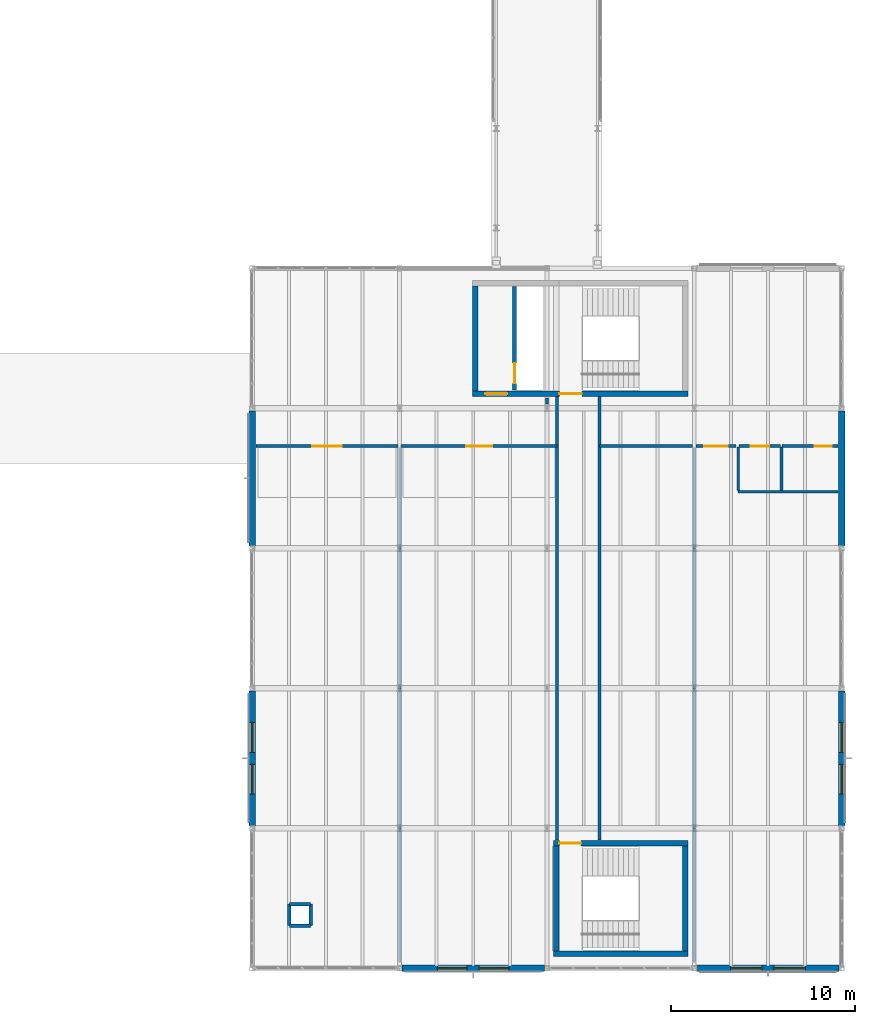
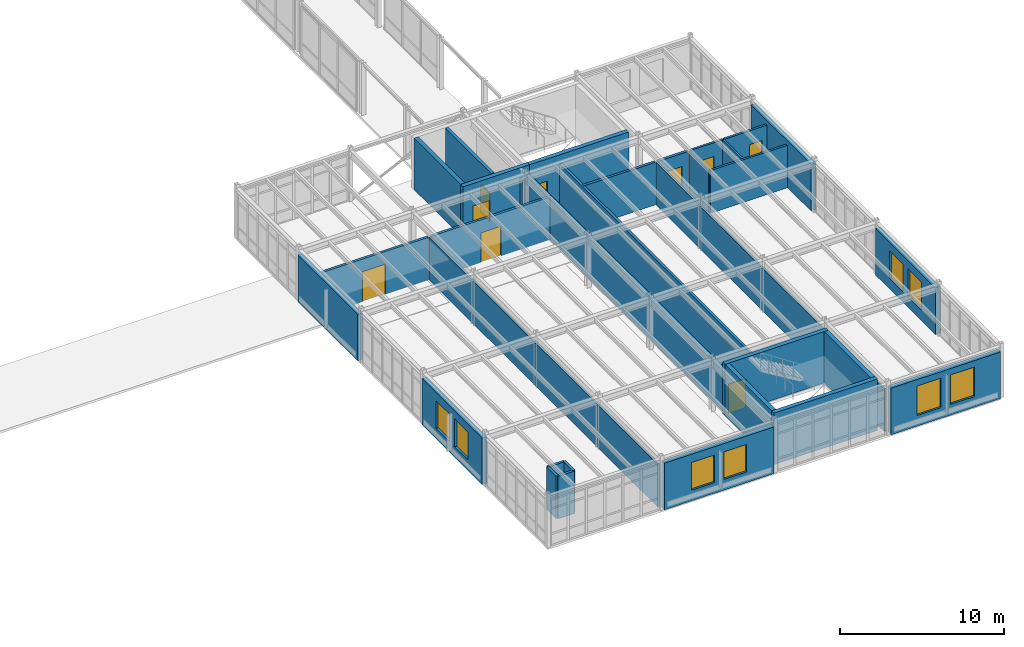
# One storey, part 166 of 189: 32 walls, 9 doors, 8 windows, 17 openings.
"""IFC4 building model written with IfcOpenShell, lengths in metres."""

from ifc_helpers import new_model, si_unit, direction, frame, frame_2d, origin, place, context, subcontext, project, spatial, rectangle, extrude, material, layer, layer_set, type_object, element, fill, save


model = new_model("IFC4")

# Units and contexts
model_context = context("Model", 3, precision=1e-05, world=origin(), true_north=direction((0.0, 1.0)))
body_context = subcontext(model_context, "Body", "Model", "MODEL_VIEW")
ifc_project = project(units=[si_unit("LENGTHUNIT", "METRE"), si_unit("AREAUNIT", "SQUARE_METRE"), si_unit("VOLUMEUNIT", "CUBIC_METRE"), si_unit("PLANEANGLEUNIT", "RADIAN"), si_unit("MASSUNIT", "GRAM", prefix="KILO")], contexts=[model_context])

# Site, building, storey
site_placement = place(None, origin())
site = spatial("IfcSite", under=ifc_project, at=site_placement, CompositionType="ELEMENT")
building_placement = place(site_placement, origin())
building = spatial("IfcBuilding", under=site, at=building_placement, Name="Montecoro Central Library", CompositionType="ELEMENT")
storey_placement = place(building_placement, frame((0.0, 0.0, 9.179931640625)))
storey = spatial("IfcBuildingStorey", under=building, at=storey_placement, Name="L02", CompositionType="ELEMENT", Elevation=9.179931640625)

# Wall, openings, windows
ifc_material_1 = material(Name="Roman travertine stone clad concrete C35/45", Category="masonry")
ifc_layer_1 = layer(ifc_material_1, 0.344970703125)
ifc_layer_set_1 = layer_set([ifc_layer_1], Name="Roman travertine stone clad concrete C35/45")
wall_type_1 = type_object("IfcWallType", Name="EW-TRV-345", PredefinedType="SOLIDWALL", material=ifc_layer_set_1)
wall_1_placement = place(storey_placement, frame((149.133056640625, 5.0, 0.0), z_axis=(0.0, 0.0, 1.0), x_axis=(1.0, 0.0, 0.0)))
wall_1 = element("IfcWall", 1, at=wall_1_placement, inside=storey, type_object=wall_type_1, Name="V6-L02-EW-S1", PredefinedType="SOLIDWALL", context=body_context, shape_type="SweptSolid", body=[
    extrude(rectangle(XDim=7.73388671875, YDim=0.344970703125, at=frame_2d((3.866943359375, 0.0))), origin(), (0.0, 0.0, 1.0), 3.47998046875),
])
opening_1_placement = place(wall_1_placement, frame((1.922119140625, 0.0, 0.800048828125)))
opening_1 = element("IfcOpeningElement", 2, at=opening_1_placement, cuts=wall_1, Name="Opening WN-27", PredefinedType="OPENING", context=body_context, shape_type="SweptSolid", body=[
    extrude(rectangle(XDim=1.6201171875, YDim=2.06005859375, at=frame_2d((0.81005859375, 1.030029296875))), frame((0.0, 0.182373046875, 0.0), z_axis=(0.0, -1.0, 0.0), x_axis=(1.0, 0.0, 0.0)), (0.0, 0.0, 1.0), 0.364990234375),
])
opening_2_placement = place(wall_1_placement, frame((4.19189453125, 0.0, 0.800048828125)))
opening_2 = element("IfcOpeningElement", 3, at=opening_2_placement, cuts=wall_1, Name="Opening WN-27", PredefinedType="OPENING", context=body_context, shape_type="SweptSolid", body=[
    extrude(rectangle(XDim=1.6201171875, YDim=2.06005859375, at=frame_2d((0.81005859375, 1.030029296875))), frame((0.0, 0.182373046875, 0.0), z_axis=(0.0, -1.0, 0.0), x_axis=(1.0, 0.0, 0.0)), (0.0, 0.0, 1.0), 0.364990234375),
])
ifc_material_2 = material(Name="Laminated low-E double glazing", Category="glass")
window_type_1 = type_object("IfcWindowType", Name="WN-COM-162", PartitioningType="SINGLE_PANEL", PredefinedType="WINDOW", material=ifc_material_2)
window_1_placement = place(opening_1_placement, origin())
window_1 = element("IfcWindow", 4, at=window_1_placement, inside=storey, type_object=window_type_1, Name="V6-L02-WN-S1-1", OverallHeight=2.06005859375, OverallWidth=1.6201171875, PartitioningType="SINGLE_PANEL", PredefinedType="WINDOW", context=body_context, shape_type="SweptSolid", body=[
    extrude(rectangle(XDim=1.6201171875, YDim=2.06005859375, at=frame_2d((0.81005859375, 1.030029296875))), frame((0.0, 0.030029296875, 0.0), z_axis=(0.0, -1.0, 0.0), x_axis=(1.0, 0.0, 0.0)), (0.0, 0.0, 1.0), 0.06005859375),
])
fill(opening_1, window_1)
window_2_placement = place(opening_2_placement, origin())
window_2 = element("IfcWindow", 5, at=window_2_placement, inside=storey, type_object=window_type_1, Name="V6-L02-WN-S1-2", OverallHeight=2.06005859375, OverallWidth=1.6201171875, PartitioningType="SINGLE_PANEL", PredefinedType="WINDOW", context=body_context, shape_type="SweptSolid", body=[
    extrude(rectangle(XDim=1.6201171875, YDim=2.06005859375, at=frame_2d((0.81005859375, 1.030029296875))), frame((0.0, 0.030029296875, 0.0), z_axis=(0.0, -1.0, 0.0), x_axis=(1.0, 0.0, 0.0)), (0.0, 0.0, 1.0), 0.06005859375),
])
fill(opening_2, window_2)

wall_2_placement = place(storey_placement, frame((165.133056640625, 5.0, 0.0), z_axis=(0.0, 0.0, 1.0), x_axis=(1.0, 0.0, 0.0)))
wall_2 = element("IfcWall", 6, at=wall_2_placement, inside=storey, type_object=wall_type_1, Name="V6-L02-EW-S3", PredefinedType="SOLIDWALL", context=body_context, shape_type="SweptSolid", body=[
    extrude(rectangle(XDim=7.73388671875, YDim=0.344970703125, at=frame_2d((3.866943359375, 0.0))), origin(), (0.0, 0.0, 1.0), 3.47998046875),
])
opening_3_placement = place(wall_2_placement, frame((1.842041015625, 0.0, 0.800048828125)))
opening_3 = element("IfcOpeningElement", 7, at=opening_3_placement, cuts=wall_2, Name="Opening WN-17", PredefinedType="OPENING", context=body_context, shape_type="SweptSolid", body=[
    extrude(rectangle(XDim=1.699951171875, YDim=2.199951171875, at=frame_2d((0.85009765625, 1.10009765625))), frame((0.0, 0.182373046875, 0.0), z_axis=(0.0, -1.0, 0.0), x_axis=(1.0, 0.0, 0.0)), (0.0, 0.0, 1.0), 0.364990234375),
])
opening_4_placement = place(wall_2_placement, frame((4.19189453125, 0.0, 0.800048828125)))
opening_4 = element("IfcOpeningElement", 8, at=opening_4_placement, cuts=wall_2, Name="Opening WN-17", PredefinedType="OPENING", context=body_context, shape_type="SweptSolid", body=[
    extrude(rectangle(XDim=1.699951171875, YDim=2.199951171875, at=frame_2d((0.85009765625, 1.10009765625))), frame((0.0, 0.182373046875, 0.0), z_axis=(0.0, -1.0, 0.0), x_axis=(1.0, 0.0, 0.0)), (0.0, 0.0, 1.0), 0.364990234375),
])
window_type_2 = type_object("IfcWindowType", Name="WN-COM-170", PartitioningType="SINGLE_PANEL", PredefinedType="WINDOW", material=ifc_material_2)
window_3_placement = place(opening_3_placement, origin())
window_3 = element("IfcWindow", 9, at=window_3_placement, inside=storey, type_object=window_type_2, Name="V6-L02-WN-S3-1", OverallHeight=2.199951171875, OverallWidth=1.699951171875, PartitioningType="SINGLE_PANEL", PredefinedType="WINDOW", context=body_context, shape_type="SweptSolid", body=[
    extrude(rectangle(XDim=1.699951171875, YDim=2.199951171875, at=frame_2d((0.85009765625, 1.10009765625))), frame((0.0, 0.030029296875, 0.0), z_axis=(0.0, -1.0, 0.0), x_axis=(1.0, 0.0, 0.0)), (0.0, 0.0, 1.0), 0.06005859375),
])
fill(opening_3, window_3)
window_4_placement = place(opening_4_placement, origin())
window_4 = element("IfcWindow", 10, at=window_4_placement, inside=storey, type_object=window_type_2, Name="V6-L02-WN-S3-2", OverallHeight=2.199951171875, OverallWidth=1.699951171875, PartitioningType="SINGLE_PANEL", PredefinedType="WINDOW", context=body_context, shape_type="SweptSolid", body=[
    extrude(rectangle(XDim=1.699951171875, YDim=2.199951171875, at=frame_2d((0.85009765625, 1.10009765625))), frame((0.0, 0.030029296875, 0.0), z_axis=(0.0, -1.0, 0.0), x_axis=(1.0, 0.0, 0.0)), (0.0, 0.0, 1.0), 0.06005859375),
])
fill(opening_4, window_4)

wall_3_placement = place(storey_placement, frame((173.0, 12.73291015625, 0.0), z_axis=(0.0, 0.0, 1.0), x_axis=(0.0, 1.0, 0.0)))
wall_3 = element("IfcWall", 11, at=wall_3_placement, inside=storey, type_object=wall_type_1, Name="V6-L02-EW-E1", PredefinedType="SOLIDWALL", context=body_context, shape_type="SweptSolid", body=[
    extrude(rectangle(XDim=7.333984375, YDim=0.344970703125, at=frame_2d((3.6669921875, 0.0))), origin(), (0.0, 0.0, 1.0), 3.47998046875),
])
opening_5_placement = place(wall_3_placement, frame((1.721923828125, 0.0, 0.800048828125)))
opening_5 = element("IfcOpeningElement", 12, at=opening_5_placement, cuts=wall_3, Name="Opening WN-27", PredefinedType="OPENING", context=body_context, shape_type="SweptSolid", body=[
    extrude(rectangle(XDim=1.6201171875, YDim=2.06005859375, at=frame_2d((0.81005859375, 1.030029296875))), frame((0.0, 0.182373046875, 0.0), z_axis=(0.0, -1.0, 0.0), x_axis=(1.0, 0.0, 0.0)), (0.0, 0.0, 1.0), 0.364990234375),
])
opening_6_placement = place(wall_3_placement, frame((3.991943359375, 0.0, 0.800048828125)))
opening_6 = element("IfcOpeningElement", 13, at=opening_6_placement, cuts=wall_3, Name="Opening WN-27", PredefinedType="OPENING", context=body_context, shape_type="SweptSolid", body=[
    extrude(rectangle(XDim=1.6201171875, YDim=2.06005859375, at=frame_2d((0.81005859375, 1.030029296875))), frame((0.0, 0.182373046875, 0.0), z_axis=(0.0, -1.0, 0.0), x_axis=(1.0, 0.0, 0.0)), (0.0, 0.0, 1.0), 0.364990234375),
])
window_5_placement = place(opening_5_placement, origin())
window_5 = element("IfcWindow", 14, at=window_5_placement, inside=storey, type_object=window_type_1, Name="V6-L02-WN-E1-1", OverallHeight=2.06005859375, OverallWidth=1.6201171875, PartitioningType="SINGLE_PANEL", PredefinedType="WINDOW", context=body_context, shape_type="SweptSolid", body=[
    extrude(rectangle(XDim=1.6201171875, YDim=2.06005859375, at=frame_2d((0.81005859375, 1.030029296875))), frame((0.0, 0.030029296875, 0.0), z_axis=(0.0, -1.0, 0.0), x_axis=(1.0, 0.0, 0.0)), (0.0, 0.0, 1.0), 0.06005859375),
])
fill(opening_5, window_5)
window_6_placement = place(opening_6_placement, origin())
window_6 = element("IfcWindow", 15, at=window_6_placement, inside=storey, type_object=window_type_1, Name="V6-L02-WN-E1-2", OverallHeight=2.06005859375, OverallWidth=1.6201171875, PartitioningType="SINGLE_PANEL", PredefinedType="WINDOW", context=body_context, shape_type="SweptSolid", body=[
    extrude(rectangle(XDim=1.6201171875, YDim=2.06005859375, at=frame_2d((0.81005859375, 1.030029296875))), frame((0.0, 0.030029296875, 0.0), z_axis=(0.0, -1.0, 0.0), x_axis=(1.0, 0.0, 0.0)), (0.0, 0.0, 1.0), 0.06005859375),
])
fill(opening_6, window_6)

# Walls
for number, where, z_axis, x_axis, name in (
    (16, (173.0, 27.93310546875, 0.0), (0.0, 0.0, 1.0), (0.0, 1.0, 0.0), "V6-L02-EW-E3"),
    (17, (141.0, 35.26708984375, 0.0), (0.0, 0.0, 1.0), (0.0, -1.0, 0.0), "V6-L02-EW-W3"),
):
    element("IfcWall", number, at=place(storey_placement, frame(where, z_axis=z_axis, x_axis=x_axis)), inside=storey, type_object=wall_type_1, Name=name, PredefinedType="SOLIDWALL", context=body_context, shape_type="SweptSolid", body=[
        extrude(rectangle(XDim=7.333984375, YDim=0.344970703125, at=frame_2d((3.6669921875, 0.0))), origin(), (0.0, 0.0, 1.0), 3.47998046875),
    ])

# Wall, openings, windows
wall_4_placement = place(storey_placement, frame((141.0, 20.06689453125, 0.0), z_axis=(0.0, 0.0, 1.0), x_axis=(0.0, -1.0, 0.0)))
wall_4 = element("IfcWall", 18, at=wall_4_placement, inside=storey, type_object=wall_type_1, Name="V6-L02-EW-W1", PredefinedType="SOLIDWALL", context=body_context, shape_type="SweptSolid", body=[
    extrude(rectangle(XDim=7.333984375, YDim=0.344970703125, at=frame_2d((3.6669921875, 0.0))), origin(), (0.0, 0.0, 1.0), 3.47998046875),
])
opening_7_placement = place(wall_4_placement, frame((1.721923828125, 0.0, 0.800048828125)))
opening_7 = element("IfcOpeningElement", 19, at=opening_7_placement, cuts=wall_4, Name="Opening WN-27", PredefinedType="OPENING", context=body_context, shape_type="SweptSolid", body=[
    extrude(rectangle(XDim=1.6201171875, YDim=2.06005859375, at=frame_2d((0.81005859375, 1.030029296875))), frame((0.0, 0.182373046875, 0.0), z_axis=(0.0, -1.0, 0.0), x_axis=(1.0, 0.0, 0.0)), (0.0, 0.0, 1.0), 0.364990234375),
])
opening_8_placement = place(wall_4_placement, frame((3.991943359375, 0.0, 0.800048828125)))
opening_8 = element("IfcOpeningElement", 20, at=opening_8_placement, cuts=wall_4, Name="Opening WN-27", PredefinedType="OPENING", context=body_context, shape_type="SweptSolid", body=[
    extrude(rectangle(XDim=1.6201171875, YDim=2.06005859375, at=frame_2d((0.81005859375, 1.030029296875))), frame((0.0, 0.182373046875, 0.0), z_axis=(0.0, -1.0, 0.0), x_axis=(1.0, 0.0, 0.0)), (0.0, 0.0, 1.0), 0.364990234375),
])
window_7_placement = place(opening_7_placement, origin())
window_7 = element("IfcWindow", 21, at=window_7_placement, inside=storey, type_object=window_type_1, Name="V6-L02-WN-W1-1", OverallHeight=2.06005859375, OverallWidth=1.6201171875, PartitioningType="SINGLE_PANEL", PredefinedType="WINDOW", context=body_context, shape_type="SweptSolid", body=[
    extrude(rectangle(XDim=1.6201171875, YDim=2.06005859375, at=frame_2d((0.81005859375, 1.030029296875))), frame((0.0, 0.030029296875, 0.0), z_axis=(0.0, -1.0, 0.0), x_axis=(1.0, 0.0, 0.0)), (0.0, 0.0, 1.0), 0.06005859375),
])
fill(opening_7, window_7)
window_8_placement = place(opening_8_placement, origin())
window_8 = element("IfcWindow", 22, at=window_8_placement, inside=storey, type_object=window_type_1, Name="V6-L02-WN-W1-2", OverallHeight=2.06005859375, OverallWidth=1.6201171875, PartitioningType="SINGLE_PANEL", PredefinedType="WINDOW", context=body_context, shape_type="SweptSolid", body=[
    extrude(rectangle(XDim=1.6201171875, YDim=2.06005859375, at=frame_2d((0.81005859375, 1.030029296875))), frame((0.0, 0.030029296875, 0.0), z_axis=(0.0, -1.0, 0.0), x_axis=(1.0, 0.0, 0.0)), (0.0, 0.0, 1.0), 0.06005859375),
])
fill(opening_8, window_8)

# Walls
ifc_material_3 = material(Name="Gypsum fire-rated partition")
ifc_layer_2 = layer(ifc_material_3, 0.179931640625)
ifc_layer_set_2 = layer_set([ifc_layer_2], Name="Gypsum fire-rated partition")
wall_type_2 = type_object("IfcWallType", Name="IW-COR-180", PredefinedType="PARTITIONING", material=ifc_layer_set_2)
for number, where, z_axis, x_axis, name in (
    (23, (143.02001953125, 7.320068359375, 0.0), (0.0, 0.0, 1.0), (1.0, 0.0, 0.0), "RSR-V6-L02-SL1-S"),
    (24, (144.179931640625, 8.47998046875, 0.0), (0.0, 0.0, 1.0), (-1.0, 0.0, 0.0), "RSR-V6-L02-SL1-N"),
    (25, (143.02001953125, 8.47998046875, 0.0), (0.0, 0.0, 1.0), (0.0, -1.0, 0.0), "RSR-V6-L02-SL1-W"),
    (26, (144.179931640625, 7.320068359375, 0.0), (0.0, 0.0, 1.0), (0.0, 1.0, 0.0), "RSR-V6-L02-SL1-E"),
):
    element("IfcWall", number, at=place(storey_placement, frame(where, z_axis=z_axis, x_axis=x_axis)), inside=storey, type_object=wall_type_2, Name=name, PredefinedType="PARTITIONING", context=body_context, shape_type="SweptSolid", body=[
        extrude(rectangle(XDim=1.159912109375, YDim=0.179931640625, at=frame_2d((0.580078125, 0.0))), origin(), (0.0, 0.0, 1.0), 3.18017578125),
    ])

# Wall, opening, door
wall_5_placement = place(storey_placement, frame((141.199951171875, 33.35009765625, 0.0), z_axis=(0.0, 0.0, 1.0), x_axis=(1.0, 0.0, 0.0)))
wall_5 = element("IfcWall", 27, at=wall_5_placement, inside=storey, type_object=wall_type_2, Name="CORW-V6-L02-01", PredefinedType="PARTITIONING", context=body_context, shape_type="SweptSolid", body=[
    extrude(rectangle(XDim=7.7099609375, YDim=0.179931640625, at=frame_2d((3.85498046875, 0.0))), origin(), (0.0, 0.0, 1.0), 3.18017578125),
])
opening_9_placement = place(wall_5_placement, frame((3.054931640625, 0.0, 0.0)))
opening_9 = element("IfcOpeningElement", 28, at=opening_9_placement, cuts=wall_5, Name="Opening ID-06", PredefinedType="OPENING", context=body_context, shape_type="SweptSolid", body=[
    extrude(rectangle(XDim=1.60009765625, YDim=2.25, at=frame_2d((0.800048828125, 1.125))), frame((0.0, 0.099853515625, 0.0), z_axis=(0.0, -1.0, 0.0), x_axis=(1.0, 0.0, 0.0)), (0.0, 0.0, 1.0), 0.199951171875),
])
ifc_material_4 = material(Name="Solid oak and fire-rated steel door", Category="steel")
door_type_1 = type_object("IfcDoorType", Name="ID-COR-160", OperationType="NOTDEFINED", PredefinedType="DOOR", material=ifc_material_4)
door_1_placement = place(opening_9_placement, origin())
door_1 = element("IfcDoor", 29, at=door_1_placement, inside=storey, type_object=door_type_1, Name="DR-SP-V6-L02-R1P1", OperationType="DOUBLE_DOOR_SINGLE_SWING", OverallHeight=2.25, OverallWidth=1.60009765625, PredefinedType="DOOR", context=body_context, shape_type="SweptSolid", body=[
    extrude(rectangle(XDim=1.60009765625, YDim=2.25, at=frame_2d((0.800048828125, 1.125))), frame((0.0, 0.02490234375, 0.0), z_axis=(0.0, -1.0, 0.0), x_axis=(1.0, 0.0, 0.0)), (0.0, 0.0, 1.0), 0.050048828125),
])
fill(opening_9, door_1)

wall_6_placement = place(storey_placement, frame((149.090087890625, 33.35009765625, 0.0), z_axis=(0.0, 0.0, 1.0), x_axis=(1.0, 0.0, 0.0)))
wall_6 = element("IfcWall", 30, at=wall_6_placement, inside=storey, type_object=wall_type_2, Name="CORW-V6-L02-02", PredefinedType="PARTITIONING", context=body_context, shape_type="SweptSolid", body=[
    extrude(rectangle(XDim=8.4599609375, YDim=0.179931640625, at=frame_2d((4.22998046875, 0.0))), origin(), (0.0, 0.0, 1.0), 3.18017578125),
])
opening_10_placement = place(wall_6_placement, frame((3.530029296875, 0.0, 0.0)))
opening_10 = element("IfcOpeningElement", 31, at=opening_10_placement, cuts=wall_6, Name="Opening ID-08", PredefinedType="OPENING", context=body_context, shape_type="SweptSolid", body=[
    extrude(rectangle(XDim=1.39990234375, YDim=2.219970703125, at=frame_2d((0.699951171875, 1.10986328125))), frame((0.0, 0.099853515625, 0.0), z_axis=(0.0, -1.0, 0.0), x_axis=(1.0, 0.0, 0.0)), (0.0, 0.0, 1.0), 0.199951171875),
])
door_type_2 = type_object("IfcDoorType", Name="ID-RDG-140", OperationType="NOTDEFINED", PredefinedType="DOOR", material=ifc_material_4)
door_2_placement = place(opening_10_placement, origin())
door_2 = element("IfcDoor", 32, at=door_2_placement, inside=storey, type_object=door_type_2, Name="DR-SP-V6-L02-R2P1", OperationType="SINGLE_SWING_RIGHT", OverallHeight=2.219970703125, OverallWidth=1.39990234375, PredefinedType="DOOR", context=body_context, shape_type="SweptSolid", body=[
    extrude(rectangle(XDim=1.39990234375, YDim=2.219970703125, at=frame_2d((0.699951171875, 1.10986328125))), frame((0.0, 0.02490234375, 0.0), z_axis=(0.0, -1.0, 0.0), x_axis=(1.0, 0.0, 0.0)), (0.0, 0.0, 1.0), 0.050048828125),
])
fill(opening_10, door_2)

# Wall
wall_7_placement = place(storey_placement, frame((159.85009765625, 33.35009765625, 0.0), z_axis=(0.0, 0.0, 1.0), x_axis=(1.0, 0.0, 0.0)))
element("IfcWall", 33, at=wall_7_placement, inside=storey, type_object=wall_type_2, Name="CORW-V6-L02-03", PredefinedType="PARTITIONING", context=body_context, shape_type="SweptSolid", body=[
    extrude(rectangle(XDim=5.059814453125, YDim=0.179931640625, at=frame_2d((2.52978515625, 0.0))), origin(), (0.0, 0.0, 1.0), 3.18017578125),
])

# Wall, opening, door
wall_8_placement = place(storey_placement, frame((165.090087890625, 33.35009765625, 0.0), z_axis=(0.0, 0.0, 1.0), x_axis=(1.0, 0.0, 0.0)))
wall_8 = element("IfcWall", 34, at=wall_8_placement, inside=storey, type_object=wall_type_2, Name="CORW-V6-L02-04", PredefinedType="PARTITIONING", context=body_context, shape_type="SweptSolid", body=[
    extrude(rectangle(XDim=2.169921875, YDim=0.179931640625, at=frame_2d((1.0849609375, 0.0))), origin(), (0.0, 0.0, 1.0), 3.18017578125),
])
opening_11_placement = place(wall_8_placement, frame((0.455078125, 0.0, 0.0)))
opening_11 = element("IfcOpeningElement", 35, at=opening_11_placement, cuts=wall_8, Name="Opening ID-09", PredefinedType="OPENING", context=body_context, shape_type="SweptSolid", body=[
    extrude(rectangle(XDim=1.260009765625, YDim=2.199951171875, at=frame_2d((0.6298828125, 1.10009765625))), frame((0.0, 0.099853515625, 0.0), z_axis=(0.0, -1.0, 0.0), x_axis=(1.0, 0.0, 0.0)), (0.0, 0.0, 1.0), 0.199951171875),
])
door_type_3 = type_object("IfcDoorType", Name="ID-RDG-126", OperationType="NOTDEFINED", PredefinedType="DOOR", material=ifc_material_4)
door_3_placement = place(opening_11_placement, origin())
door_3 = element("IfcDoor", 36, at=door_3_placement, inside=storey, type_object=door_type_3, Name="DR-SP-V6-L02-R3P1", OperationType="SINGLE_SWING_LEFT", OverallHeight=2.199951171875, OverallWidth=1.260009765625, PredefinedType="DOOR", context=body_context, shape_type="SweptSolid", body=[
    extrude(rectangle(XDim=1.260009765625, YDim=2.199951171875, at=frame_2d((0.6298828125, 1.10009765625))), frame((0.0, 0.02490234375, 0.0), z_axis=(0.0, -1.0, 0.0), x_axis=(1.0, 0.0, 0.0)), (0.0, 0.0, 1.0), 0.050048828125),
])
fill(opening_11, door_3)

# Walls
wall_9_placement = place(storey_placement, frame((157.0, 35.639892578125, 0.0), z_axis=(0.0, 0.0, 1.0), x_axis=(0.0, 1.0, 0.0)))
element("IfcWall", 37, at=wall_9_placement, inside=storey, type_object=wall_type_2, Name="PIL-V6-L02-1", PredefinedType="PARTITIONING", context=body_context, shape_type="SweptSolid", body=[
    extrude(rectangle(XDim=0.320068359375, YDim=0.179931640625, at=frame_2d((0.16015625, 0.0))), origin(), (0.0, 0.0, 1.0), 3.18017578125),
])
for number, where, z_axis, x_axis, name in (
    (38, (157.550048828125, 11.9599609375, 0.0), (0.0, 0.0, 1.0), (0.0, 1.0, 0.0), "SPRW-V6-L02-1W1"),
    (39, (159.85009765625, 11.9599609375, 0.0), (0.0, 0.0, 1.0), (0.0, 1.0, 0.0), "SPRW-V6-L02-1E1"),
):
    element("IfcWall", number, at=place(storey_placement, frame(where, z_axis=z_axis, x_axis=x_axis)), inside=storey, type_object=wall_type_2, Name=name, PredefinedType="PARTITIONING", context=body_context, shape_type="SweptSolid", body=[
        extrude(rectangle(XDim=24.080078125, YDim=0.179931640625, at=frame_2d((12.0400390625, 0.0))), origin(), (0.0, 0.0, 1.0), 3.18017578125),
    ])

# Wall, opening, door
ifc_material_5 = material(Name="Concrete C32/40", Category="concrete")
ifc_layer_3 = layer(ifc_material_5, 0.219970703125)
ifc_layer_set_3 = layer_set([ifc_layer_3], Name="Concrete C32/40")
wall_type_3 = type_object("IfcWallType", Name="IW-FFL-220", PredefinedType="SOLIDWALL", material=ifc_layer_set_3)
wall_10_placement = place(storey_placement, frame((155.25, 36.39990234375, 0.0), z_axis=(0.0, 0.0, 1.0), x_axis=(0.0, 1.0, 0.0)))
wall_10 = element("IfcWall", 40, at=wall_10_placement, inside=storey, type_object=wall_type_3, Name="C7-L02-WLSH", PredefinedType="SOLIDWALL", context=body_context, shape_type="SweptSolid", body=[
    extrude(rectangle(XDim=5.60009765625, YDim=0.219970703125, at=frame_2d((2.800048828125, 0.0))), origin(), (0.0, 0.0, 1.0), 3.844970703125),
])
opening_12_placement = place(wall_10_placement, frame((0.35009765625, 0.0, 0.0)))
opening_12 = element("IfcOpeningElement", 41, at=opening_12_placement, cuts=wall_10, Name="Opening LD-01", PredefinedType="OPENING", context=body_context, shape_type="SweptSolid", body=[
    extrude(rectangle(XDim=1.10009765625, YDim=2.14990234375, at=frame_2d((0.550048828125, 1.074951171875))), frame((0.0, 0.119873046875, 0.0), z_axis=(0.0, -1.0, 0.0), x_axis=(1.0, 0.0, 0.0)), (0.0, 0.0, 1.0), 0.239990234375),
])
door_type_4 = type_object("IfcDoorType", Name="LD-LIFT-110", OperationType="NOTDEFINED", PredefinedType="DOOR", material=ifc_material_4)
door_4_placement = place(opening_12_placement, origin())
door_4 = element("IfcDoor", 42, at=door_4_placement, inside=storey, type_object=door_type_4, Name="C7-L02-LD-PL-06", OperationType="SLIDING_TO_LEFT", OverallHeight=2.14990234375, OverallWidth=1.10009765625, PredefinedType="DOOR", context=body_context, shape_type="SweptSolid", body=[
    extrude(rectangle(XDim=1.10009765625, YDim=2.14990234375, at=frame_2d((0.550048828125, 1.074951171875))), frame((0.0, 0.02490234375, 0.0), z_axis=(0.0, -1.0, 0.0), x_axis=(1.0, 0.0, 0.0)), (0.0, 0.0, 1.0), 0.050048828125),
])
fill(opening_12, door_4)

# Walls
ifc_material_6 = material(Name="Gypsum metal-stud partition")
ifc_layer_4 = layer(ifc_material_6, 0.1201171875)
ifc_layer_set_4 = layer_set([ifc_layer_4], Name="Gypsum metal-stud partition")
wall_type_4 = type_object("IfcWallType", Name="IW-PRT-120", PredefinedType="PARTITIONING", material=ifc_layer_set_4)
wall_11_placement = place(storey_placement, frame((165.0, 5.320068359375, 0.0), z_axis=(0.0, 0.0, 1.0), x_axis=(0.0, 1.0, 0.0)))
element("IfcWall", 43, at=wall_11_placement, inside=storey, type_object=wall_type_4, Name="DIVW-V6-L02-02-1", PredefinedType="PARTITIONING", context=body_context, shape_type="SweptSolid", body=[
    extrude(rectangle(XDim=27.93994140625, YDim=0.1201171875, at=frame_2d((13.969970703125, 0.0))), origin(), (0.0, 0.0, 1.0), 3.18017578125),
])
ifc_layer_5 = layer(ifc_material_6, 0.139892578125)
ifc_layer_set_5 = layer_set([ifc_layer_5], Name="Gypsum metal-stud partition")
wall_type_5 = type_object("IfcWallType", Name="IW-PRT-140", PredefinedType="PARTITIONING", material=ifc_layer_set_5)
wall_12_placement = place(storey_placement, frame((149.0, 5.320068359375, 0.0), z_axis=(0.0, 0.0, 1.0), x_axis=(0.0, 1.0, 0.0)))
element("IfcWall", 44, at=wall_12_placement, inside=storey, type_object=wall_type_5, Name="DIVW-V6-L02-01-1", PredefinedType="PARTITIONING", context=body_context, shape_type="SweptSolid", body=[
    extrude(rectangle(XDim=27.93994140625, YDim=0.139892578125, at=frame_2d((13.969970703125, 0.0))), origin(), (0.0, 0.0, 1.0), 3.18017578125),
])

# Wall, opening, door
ifc_material_7 = material(Name="Concrete C35/45", Category="concrete")
ifc_layer_6 = layer(ifc_material_7, 0.300048828125)
ifc_layer_set_6 = layer_set([ifc_layer_6], Name="Concrete C35/45")
wall_type_6 = type_object("IfcWallType", Name="IW-SHR-300", PredefinedType="SHEAR", material=ifc_layer_set_6)
wall_13_placement = place(storey_placement, frame((152.949951171875, 36.199951171875, 0.0), z_axis=(0.0, 0.0, 1.0), x_axis=(1.0, 0.0, 0.0)))
wall_13 = element("IfcWall", 45, at=wall_13_placement, inside=storey, type_object=wall_type_6, Name="C7-L02-LWS", PredefinedType="SHEAR", context=body_context, shape_type="SweptSolid", body=[
    extrude(rectangle(XDim=4.699951171875, YDim=0.300048828125, at=frame_2d((2.35009765625, 0.0))), origin(), (0.0, 0.0, 1.0), 3.844970703125),
])
opening_13_placement = place(wall_13_placement, frame((0.699951171875, 0.0, 0.0)))
opening_13 = element("IfcOpeningElement", 46, at=opening_13_placement, cuts=wall_13, Name="Opening ID-03", PredefinedType="OPENING", context=body_context, shape_type="SweptSolid", body=[
    extrude(rectangle(XDim=1.199951171875, YDim=2.159912109375, at=frame_2d((0.60009765625, 1.080078125))), frame((0.0, 0.159912109375, 0.0), z_axis=(0.0, -1.0, 0.0), x_axis=(1.0, 0.0, 0.0)), (0.0, 0.0, 1.0), 0.320068359375),
])
door_type_5 = type_object("IfcDoorType", Name="ID-FFL-120", OperationType="NOTDEFINED", PredefinedType="DOOR", material=ifc_material_4)
door_5_placement = place(opening_13_placement, origin())
door_5 = element("IfcDoor", 47, at=door_5_placement, inside=storey, type_object=door_type_5, Name="C7-L02-DLOB", OperationType="SINGLE_SWING_LEFT", OverallHeight=2.159912109375, OverallWidth=1.199951171875, PredefinedType="DOOR", context=body_context, shape_type="SweptSolid", body=[
    extrude(rectangle(XDim=1.199951171875, YDim=2.159912109375, at=frame_2d((0.60009765625, 1.080078125))), frame((0.0, 0.02490234375, 0.0), z_axis=(0.0, -1.0, 0.0), x_axis=(1.0, 0.0, 0.0)), (0.0, 0.0, 1.0), 0.050048828125),
])
fill(opening_13, door_5)

# Wall
wall_14_placement = place(storey_placement, frame((153.10009765625, 42.050048828125, 0.0), z_axis=(0.0, 0.0, 1.0), x_axis=(0.0, -1.0, 0.0)))
element("IfcWall", 48, at=wall_14_placement, inside=storey, type_object=wall_type_6, Name="C7-L02-LWW", PredefinedType="SHEAR", context=body_context, shape_type="SweptSolid", body=[
    extrude(rectangle(XDim=5.699951171875, YDim=0.300048828125, at=frame_2d((2.85009765625, 0.0))), origin(), (0.0, 0.0, 1.0), 3.844970703125),
])

# Wall, opening, door
wall_15_placement = place(storey_placement, frame((157.35009765625, 36.199951171875, 0.0), z_axis=(0.0, 0.0, 1.0), x_axis=(1.0, 0.0, 0.0)))
wall_15 = element("IfcWall", 49, at=wall_15_placement, inside=storey, type_object=wall_type_6, Name="C7-L02-WS", PredefinedType="SHEAR", context=body_context, shape_type="SweptSolid", body=[
    extrude(rectangle(XDim=7.2998046875, YDim=0.300048828125, at=frame_2d((3.64990234375, 0.0))), origin(), (0.0, 0.0, 1.0), 3.844970703125),
])
opening_14_placement = place(wall_15_placement, frame((0.330078125, 0.0, 0.0)))
opening_14 = element("IfcOpeningElement", 50, at=opening_14_placement, cuts=wall_15, Name="Opening ID-01", PredefinedType="OPENING", context=body_context, shape_type="SweptSolid", body=[
    extrude(rectangle(XDim=1.219970703125, YDim=2.179931640625, at=frame_2d((0.60986328125, 1.08984375))), frame((0.0, 0.159912109375, 0.0), z_axis=(0.0, -1.0, 0.0), x_axis=(1.0, 0.0, 0.0)), (0.0, 0.0, 1.0), 0.320068359375),
])
door_type_6 = type_object("IfcDoorType", Name="ID-STR-140", OperationType="NOTDEFINED", PredefinedType="DOOR", material=ifc_material_4)
door_6_placement = place(opening_14_placement, origin())
door_6 = element("IfcDoor", 51, at=door_6_placement, inside=storey, type_object=door_type_6, Name="C7-L02-DSTR", OperationType="SINGLE_SWING_RIGHT", OverallHeight=2.179931640625, OverallWidth=1.219970703125, PredefinedType="DOOR", context=body_context, shape_type="SweptSolid", body=[
    extrude(rectangle(XDim=1.219970703125, YDim=2.179931640625, at=frame_2d((0.60986328125, 1.08984375))), frame((0.0, 0.02490234375, 0.0), z_axis=(0.0, -1.0, 0.0), x_axis=(1.0, 0.0, 0.0)), (0.0, 0.0, 1.0), 0.050048828125),
])
fill(opening_14, door_6)

# Wall
wall_16_placement = place(storey_placement, frame((157.35009765625, 5.800048828125, 0.0), z_axis=(0.0, 0.0, 1.0), x_axis=(1.0, 0.0, 0.0)))
element("IfcWall", 52, at=wall_16_placement, inside=storey, type_object=wall_type_6, Name="C10-L02-WS", PredefinedType="SHEAR", context=body_context, shape_type="SweptSolid", body=[
    extrude(rectangle(XDim=7.2998046875, YDim=0.300048828125, at=frame_2d((3.64990234375, 0.0))), origin(), (0.0, 0.0, 1.0), 3.844970703125),
])

# Wall, opening, door
wall_17_placement = place(storey_placement, frame((157.35009765625, 11.800048828125, 0.0), z_axis=(0.0, 0.0, 1.0), x_axis=(1.0, 0.0, 0.0)))
wall_17 = element("IfcWall", 53, at=wall_17_placement, inside=storey, type_object=wall_type_6, Name="C10-L02-WN", PredefinedType="SHEAR", context=body_context, shape_type="SweptSolid", body=[
    extrude(rectangle(XDim=7.2998046875, YDim=0.300048828125, at=frame_2d((3.64990234375, 0.0))), origin(), (0.0, 0.0, 1.0), 3.844970703125),
])
opening_15_placement = place(wall_17_placement, frame((0.330078125, 0.0, 0.0)))
opening_15 = element("IfcOpeningElement", 54, at=opening_15_placement, cuts=wall_17, Name="Opening ID-02", PredefinedType="OPENING", context=body_context, shape_type="SweptSolid", body=[
    extrude(rectangle(XDim=1.179931640625, YDim=2.179931640625, at=frame_2d((0.58984375, 1.08984375))), frame((0.0, 0.159912109375, 0.0), z_axis=(0.0, -1.0, 0.0), x_axis=(1.0, 0.0, 0.0)), (0.0, 0.0, 1.0), 0.320068359375),
])
door_type_7 = type_object("IfcDoorType", Name="ID-STR-135", OperationType="NOTDEFINED", PredefinedType="DOOR", material=ifc_material_4)
door_7_placement = place(opening_15_placement, origin())
door_7 = element("IfcDoor", 55, at=door_7_placement, inside=storey, type_object=door_type_7, Name="C10-L02-DSTR", OperationType="SINGLE_SWING_LEFT", OverallHeight=2.179931640625, OverallWidth=1.179931640625, PredefinedType="DOOR", context=body_context, shape_type="SweptSolid", body=[
    extrude(rectangle(XDim=1.179931640625, YDim=2.179931640625, at=frame_2d((0.58984375, 1.08984375))), frame((0.0, 0.02490234375, 0.0), z_axis=(0.0, -1.0, 0.0), x_axis=(1.0, 0.0, 0.0)), (0.0, 0.0, 1.0), 0.050048828125),
])
fill(opening_15, door_7)

# Walls
for number, where, z_axis, x_axis, name in (
    (56, (157.5, 5.949951171875, 0.0), (0.0, 0.0, 1.0), (0.0, 1.0, 0.0), "C10-L02-WW"),
    (57, (164.5, 5.949951171875, 0.0), (0.0, 0.0, 1.0), (0.0, 1.0, 0.0), "C10-L02-WE"),
):
    element("IfcWall", number, at=place(storey_placement, frame(where, z_axis=z_axis, x_axis=x_axis)), inside=storey, type_object=wall_type_6, Name=name, PredefinedType="SHEAR", context=body_context, shape_type="SweptSolid", body=[
        extrude(rectangle(XDim=5.699951171875, YDim=0.300048828125, at=frame_2d((2.85009765625, 0.0))), origin(), (0.0, 0.0, 1.0), 3.844970703125),
    ])
ifc_material_8 = material(Name="Moisture-resistant ceramic-tiled partition")
ifc_layer_7 = layer(ifc_material_8, 0.14990234375)
ifc_layer_set_7 = layer_set([ifc_layer_7], Name="Moisture-resistant ceramic-tiled partition")
wall_type_7 = type_object("IfcWallType", Name="IW-WET-150", PredefinedType="PARTITIONING", material=ifc_layer_set_7)
wall_18_placement = place(storey_placement, frame((167.3798828125, 30.8701171875, 0.0), z_axis=(0.0, 0.0, 1.0), x_axis=(1.0, 0.0, 0.0)))
element("IfcWall", 58, at=wall_18_placement, inside=storey, type_object=wall_type_7, Name="WC-V6-L02-WBK", PredefinedType="PARTITIONING", context=body_context, shape_type="SweptSolid", body=[
    extrude(rectangle(XDim=5.420166015625, YDim=0.14990234375, at=frame_2d((2.7099609375, 0.0))), origin(), (0.0, 0.0, 1.0), 3.18017578125),
])
for number, where, z_axis, x_axis, name in (
    (59, (167.3798828125, 30.929931640625, 0.0), (0.0, 0.0, 1.0), (0.0, 1.0, 0.0), "WC-V6-L02-WW"),
    (60, (169.72998046875, 30.929931640625, 0.0), (0.0, 0.0, 1.0), (0.0, 1.0, 0.0), "WC-V6-L02-WM"),
):
    element("IfcWall", number, at=place(storey_placement, frame(where, z_axis=z_axis, x_axis=x_axis)), inside=storey, type_object=wall_type_7, Name=name, PredefinedType="PARTITIONING", context=body_context, shape_type="SweptSolid", body=[
        extrude(rectangle(XDim=2.360107421875, YDim=0.14990234375, at=frame_2d((1.18017578125, 0.0))), origin(), (0.0, 0.0, 1.0), 3.18017578125),
    ])

# Wall, opening, door
wall_19_placement = place(storey_placement, frame((167.43994140625, 33.35009765625, 0.0), z_axis=(0.0, 0.0, 1.0), x_axis=(1.0, 0.0, 0.0)))
wall_19 = element("IfcWall", 61, at=wall_19_placement, inside=storey, type_object=wall_type_7, Name="WC-V6-L02-WFA", PredefinedType="PARTITIONING", context=body_context, shape_type="SweptSolid", body=[
    extrude(rectangle(XDim=2.25, YDim=0.14990234375, at=frame_2d((1.125, 0.0))), origin(), (0.0, 0.0, 1.0), 3.18017578125),
])
opening_16_placement = place(wall_19_placement, frame((0.625, 0.0, 0.0)))
opening_16 = element("IfcOpeningElement", 62, at=opening_16_placement, cuts=wall_19, Name="Opening ID-15", PredefinedType="OPENING", context=body_context, shape_type="SweptSolid", body=[
    extrude(rectangle(XDim=1.0, YDim=2.14990234375, at=frame_2d((0.5, 1.074951171875))), frame((0.0, 0.0849609375, 0.0), z_axis=(0.0, -1.0, 0.0), x_axis=(1.0, 0.0, 0.0)), (0.0, 0.0, 1.0), 0.169921875),
])
door_type_8 = type_object("IfcDoorType", Name="ID-AWC-100", OperationType="NOTDEFINED", PredefinedType="DOOR", material=ifc_material_4)
door_8_placement = place(opening_16_placement, origin())
door_8 = element("IfcDoor", 63, at=door_8_placement, inside=storey, type_object=door_type_8, Name="DR-SP-V6-L02-AWC", OperationType="SINGLE_SWING_RIGHT", OverallHeight=2.14990234375, OverallWidth=1.0, PredefinedType="DOOR", context=body_context, shape_type="SweptSolid", body=[
    extrude(rectangle(XDim=1.0, YDim=2.14990234375, at=frame_2d((0.5, 1.074951171875))), frame((0.0, 0.02490234375, 0.0), z_axis=(0.0, -1.0, 0.0), x_axis=(1.0, 0.0, 0.0)), (0.0, 0.0, 1.0), 0.050048828125),
])
fill(opening_16, door_8)

wall_20_placement = place(storey_placement, frame((169.77001953125, 33.35009765625, 0.0), z_axis=(0.0, 0.0, 1.0), x_axis=(1.0, 0.0, 0.0)))
wall_20 = element("IfcWall", 64, at=wall_20_placement, inside=storey, type_object=wall_type_7, Name="WC-V6-L02-WFP", PredefinedType="PARTITIONING", context=body_context, shape_type="SweptSolid", body=[
    extrude(rectangle(XDim=3.030029296875, YDim=0.14990234375, at=frame_2d((1.51513671875, 0.0))), origin(), (0.0, 0.0, 1.0), 3.18017578125),
])
opening_17_placement = place(wall_20_placement, frame((1.780029296875, 0.0, 0.0)))
opening_17 = element("IfcOpeningElement", 65, at=opening_17_placement, cuts=wall_20, Name="Opening ID-16", PredefinedType="OPENING", context=body_context, shape_type="SweptSolid", body=[
    extrude(rectangle(XDim=0.89990234375, YDim=2.14990234375, at=frame_2d((0.449951171875, 1.074951171875))), frame((0.0, 0.0849609375, 0.0), z_axis=(0.0, -1.0, 0.0), x_axis=(1.0, 0.0, 0.0)), (0.0, 0.0, 1.0), 0.169921875),
])
door_type_9 = type_object("IfcDoorType", Name="ID-WC-090", OperationType="NOTDEFINED", PredefinedType="DOOR", material=ifc_material_4)
door_9_placement = place(opening_17_placement, origin())
door_9 = element("IfcDoor", 66, at=door_9_placement, inside=storey, type_object=door_type_9, Name="DR-SP-V6-L02-PWC", OperationType="SINGLE_SWING_LEFT", OverallHeight=2.14990234375, OverallWidth=0.89990234375, PredefinedType="DOOR", context=body_context, shape_type="SweptSolid", body=[
    extrude(rectangle(XDim=0.89990234375, YDim=2.14990234375, at=frame_2d((0.449951171875, 1.074951171875))), frame((0.0, 0.02490234375, 0.0), z_axis=(0.0, -1.0, 0.0), x_axis=(1.0, 0.0, 0.0)), (0.0, 0.0, 1.0), 0.050048828125),
])
fill(opening_17, door_9)

save(model, "model.ifc")
